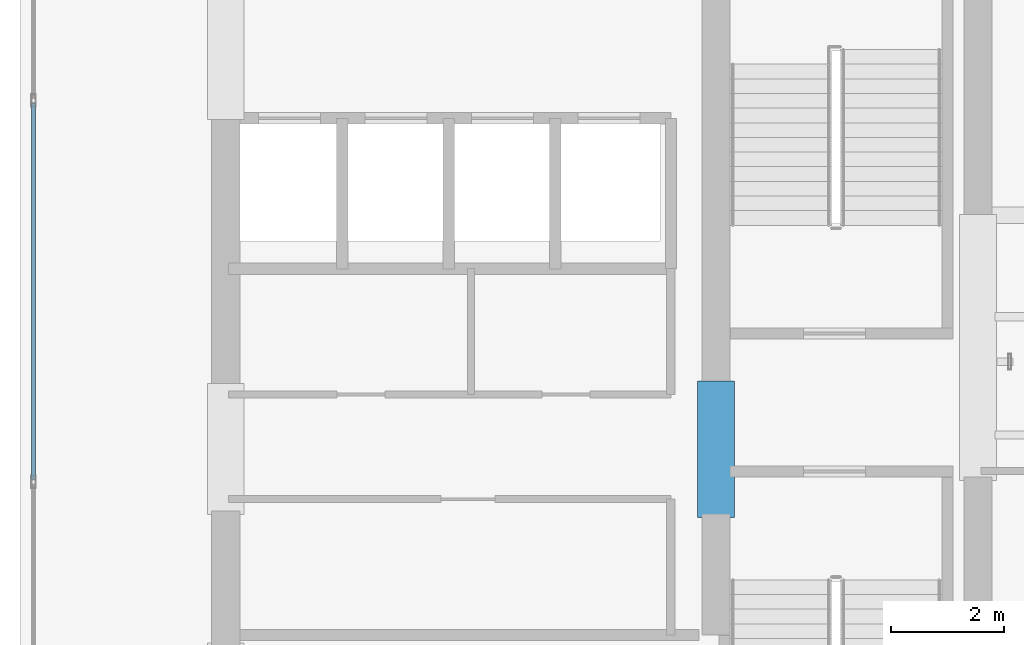
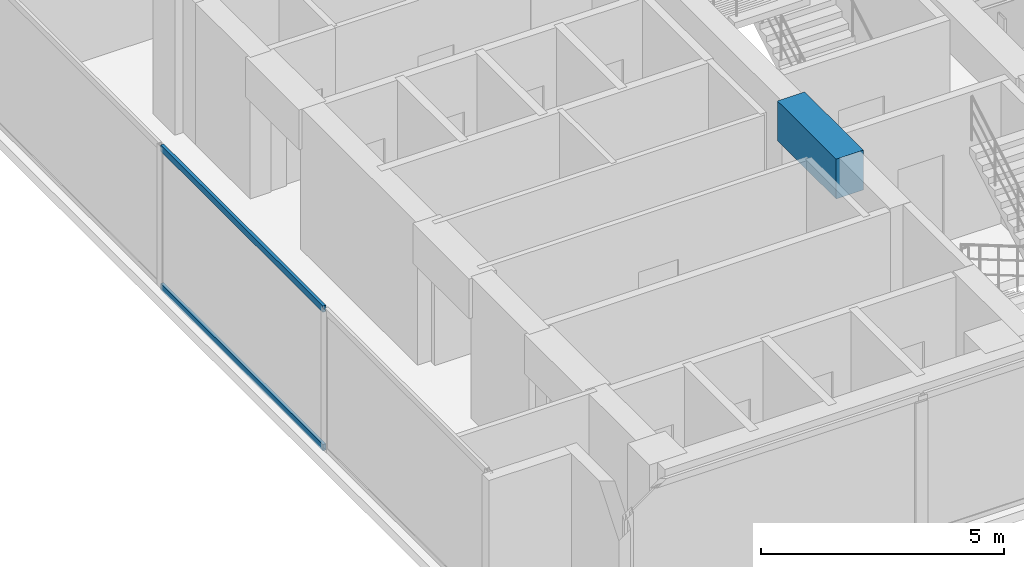
# One storey, part 3 of 22: 2 members, 1 beam, 1 element without a shape of its own.
"""IFC4 building model written with IfcOpenShell, lengths in metres."""

from ifc_helpers import new_model, si_unit, direction, frame, origin, origin_with_axes, origin_2d, place, context, subcontext, project, spatial, rectangle, hollow_rectangle, extrude, source, transform, mapped, material, layer, layer_set, material_profile, profile_set, type_object, element, aggregate, save


model = new_model("IFC4")

# Units and contexts
model_context = context("Model", 3, precision=1e-05, world=origin(), true_north=direction((0.0, 1.0)))
body_context = subcontext(model_context, "Body", "Model", "MODEL_VIEW")
ifc_project = project(units=[si_unit("LENGTHUNIT", "METRE"), si_unit("AREAUNIT", "SQUARE_METRE"), si_unit("VOLUMEUNIT", "CUBIC_METRE"), si_unit("PLANEANGLEUNIT", "RADIAN"), si_unit("MASSUNIT", "GRAM", prefix="KILO")], contexts=[model_context])

# Site, building, storey
site_placement = place(None, origin())
site = spatial("IfcSite", under=ifc_project, at=site_placement, CompositionType="ELEMENT")
building_placement = place(site_placement, origin())
building = spatial("IfcBuilding", under=site, at=building_placement, Name="Kolvaren Waterfront Exchange", CompositionType="ELEMENT")
storey_placement = place(building_placement, frame((0.0, 0.0, 262.800048828125)))
storey = spatial("IfcBuildingStorey", under=building, at=storey_placement, Name="L67", CompositionType="ELEMENT", Elevation=262.800048828125)

# Beam
ifc_material_1 = material(Name="Concrete C60/75", Category="concrete")
ifc_material_profile_1 = material_profile(ifc_material_1, rectangle(XDim=0.64990234375, YDim=1.0, at=origin_2d()), Name="RC-CB-1000x650")
ifc_profile_set_1 = profile_set([ifc_material_profile_1], Name="Concrete C60/75")
beam_type = type_object("IfcBeamType", Name="STR-CB-1000", PredefinedType="SPANDREL", material=ifc_profile_set_1)
beam_placement = place(storey_placement, frame((16.14990234375, 12.0400390625, 3.06005859375), z_axis=(0.0, 1.0, 0.0), x_axis=(-1.0, 0.0, 0.0)))
element("IfcBeam", 1, at=beam_placement, inside=storey, type_object=beam_type, Name="L67 core coupling beam 6", PredefinedType="SPANDREL", context=body_context, shape_type="SweptSolid", body=[
    extrude(rectangle(XDim=0.64990234375, YDim=1.0, at=origin_2d()), origin(), (0.0, 0.0, 1.0), 2.419921875),
])

# Curtain wall, members
ifc_material_2 = material(Name="Anodised aluminium 6063-T6", Category="aluminium")
ifc_layer = layer(ifc_material_2, 0.219970703125, Name="Anodised aluminium 6063-T6")
ifc_layer_set = layer_set([ifc_layer], Name="Anodised aluminium 6063-T6")
curtain_wall_type = type_object("IfcCurtainWallType", Name="ARC-CW-SYS2", PredefinedType="USERDEFINED", material=ifc_layer_set)
curtain_wall_placement = place(storey_placement, origin())
curtain_wall = element("IfcCurtainWall", 2, at=curtain_wall_placement, inside=storey, type_object=curtain_wall_type, Name="L67 stick curtain wall CW2 (CW-L67-W)", ObjectType="STICK CURTAIN WALL", PredefinedType="USERDEFINED")
ifc_material_profile_2 = material_profile(ifc_material_2, hollow_rectangle(XDim=0.074951171875, YDim=0.159912109375, WallThickness=0.00439453125, at=origin_2d()), Name="ALU-TRN-160x75x4.5")
ifc_profile_set_2 = profile_set([ifc_material_profile_2], Name="Anodised aluminium 6063-T6")
member_type = type_object("IfcMemberType", Name="ARC-CWT-160", PredefinedType="USERDEFINED", material=ifc_profile_set_2)
shared_shape = source(origin_with_axes(), body_context, "Body", "SweptSolid", [
    extrude(hollow_rectangle(XDim=0.074951171875, YDim=0.159912109375, WallThickness=0.00439453125, at=origin_2d()), origin(), (0.0, 0.0, 1.0), 6.6865234375),
])
member_1_placement = place(storey_placement, frame((4.0400390625, 12.706787109375, 0.037353515625), z_axis=(0.0, 1.0, 0.0), x_axis=(-1.0, 0.0, 0.0)))
member_1 = element("IfcMember", 3, at=member_1_placement, type_object=member_type, Name="CW2 transom 2.1", ObjectType="TRANSOM", PredefinedType="USERDEFINED", context=body_context, shape_type="MappedRepresentation", body=[
    mapped(shared_shape, transform((0.0, 0.0, 0.0), x_axis=(1.0, 0.0, 0.0), y_axis=(0.0, 1.0, 0.0), z_axis=(0.0, 0.0, 1.0), scale=1.0)),
])
member_2_placement = place(storey_placement, frame((4.0400390625, 12.706787109375, 3.5224609375), z_axis=(0.0, 1.0, 0.0), x_axis=(-1.0, 0.0, 0.0)))
member_2 = element("IfcMember", 4, at=member_2_placement, type_object=member_type, Name="CW2 transom 2.2", ObjectType="TRANSOM", PredefinedType="USERDEFINED", context=body_context, shape_type="MappedRepresentation", body=[
    mapped(shared_shape, transform((0.0, 0.0, 0.0), x_axis=(1.0, 0.0, 0.0), y_axis=(0.0, 1.0, 0.0), z_axis=(0.0, 0.0, 1.0), scale=1.0)),
])
aggregate(curtain_wall, [member_1, member_2])

save(model, "model.ifc")
